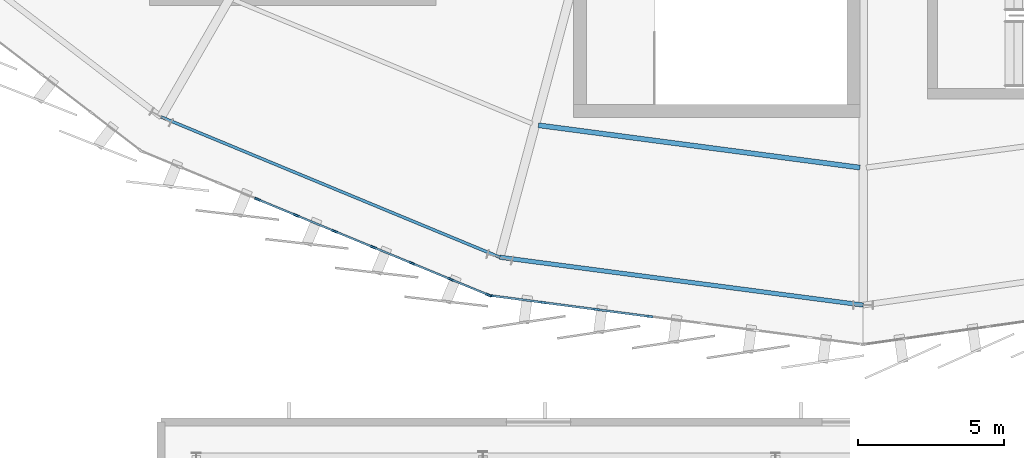
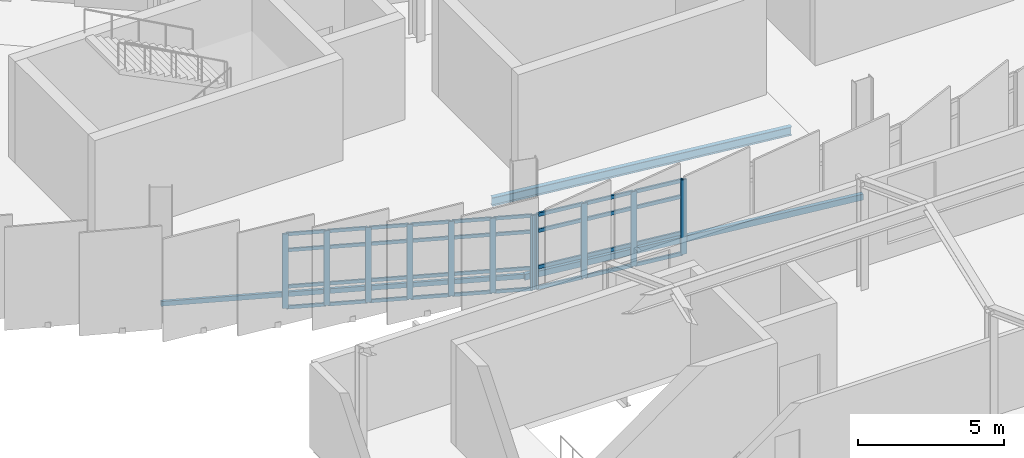
# One storey, part 16 of 87: 47 members, 3 beams, 2 elements without a shape of their own.
"""IFC4 building model written with IfcOpenShell, lengths in metres."""

from ifc_helpers import new_model, si_unit, direction, frame, origin, origin_2d, place, context, subcontext, project, spatial, rectangle, hollow_rectangle, i_section, extrude, material, layer, layer_set, material_profile, profile_set, type_object, element, aggregate, save


model = new_model("IFC4")

# Units and contexts
model_context = context("Model", 3, precision=1e-05, world=origin(), true_north=direction((0.0, 1.0)))
body_context = subcontext(model_context, "Body", "Model", "MODEL_VIEW")
ifc_project = project(units=[si_unit("LENGTHUNIT", "METRE"), si_unit("AREAUNIT", "SQUARE_METRE"), si_unit("VOLUMEUNIT", "CUBIC_METRE"), si_unit("PLANEANGLEUNIT", "RADIAN"), si_unit("MASSUNIT", "GRAM", prefix="KILO")], contexts=[model_context])

# Site, building, storey
site_placement = place(None, origin())
site = spatial("IfcSite", under=ifc_project, at=site_placement, CompositionType="ELEMENT")
building_placement = place(site_placement, origin())
building = spatial("IfcBuilding", under=site, at=building_placement, Name="Sohan Crest Arena", CompositionType="ELEMENT")
storey_placement = place(building_placement, frame((0.0, 0.0, 18.0)))
storey = spatial("IfcBuildingStorey", under=building, at=storey_placement, Name="L04", CompositionType="ELEMENT", Elevation=18.0)

# Curtain wall, members
ifc_material_1 = material(Name="Thermally broken anodised aluminium", Category="aluminium")
ifc_layer_1 = layer(ifc_material_1, 0.18994140625, Name="Thermally broken anodised aluminium")
ifc_layer_set_1 = layer_set([ifc_layer_1], Name="Thermally broken anodised aluminium")
curtain_wall_type_1 = type_object("IfcCurtainWallType", Name="ARC-CW05", PredefinedType="NOTDEFINED", material=ifc_layer_set_1)
curtain_wall_1_placement = place(storey_placement, origin())
curtain_wall_1 = element("IfcCurtainWall", 1, at=curtain_wall_1_placement, inside=storey, type_object=curtain_wall_type_1, Name="Unitised curtain wall CW-122", PredefinedType="NOTDEFINED")
ifc_material_profile_1 = material_profile(ifc_material_1, rectangle(XDim=0.070068359375, YDim=0.199951171875, at=origin_2d()), Name="ALU-MULL 70x200")
ifc_profile_set_1 = profile_set([ifc_material_profile_1], Name="Thermally broken anodised aluminium")
member_type_1 = type_object("IfcMemberType", Name="ARC-CW-ML03", PredefinedType="MULLION", material=ifc_profile_set_1)
member_1_placement = place(storey_placement, frame((77.292236328125, 33.61865234375, 0.0), z_axis=(0.0, 0.0, 1.0), x_axis=(0.382685432009, 0.923878704229, 0.0)))
member_1 = element("IfcMember", 2, at=member_1_placement, type_object=member_type_1, Name="CW-122 mullion 4", PredefinedType="MULLION", context=body_context, shape_type="SweptSolid", body=[
    extrude(rectangle(XDim=0.070068359375, YDim=0.199951171875, at=origin_2d()), origin(), (0.0, 0.0, 1.0), 3.1201171875),
])
member_2_placement = place(storey_placement, frame((78.61474609375, 33.07080078125, 0.0), z_axis=(0.0, 0.0, 1.0), x_axis=(0.382685432009, 0.923878704229, 0.0)))
member_2 = element("IfcMember", 3, at=member_2_placement, type_object=member_type_1, Name="CW-122 mullion 5", PredefinedType="MULLION", context=body_context, shape_type="SweptSolid", body=[
    extrude(rectangle(XDim=0.070068359375, YDim=0.199951171875, at=origin_2d()), origin(), (0.0, 0.0, 1.0), 3.1201171875),
])
member_3_placement = place(storey_placement, frame((79.937255859375, 32.523193359375, 0.0), z_axis=(0.0, 0.0, 1.0), x_axis=(0.382685432009, 0.923878704229, 0.0)))
member_3 = element("IfcMember", 4, at=member_3_placement, type_object=member_type_1, Name="CW-122 mullion 6", PredefinedType="MULLION", context=body_context, shape_type="SweptSolid", body=[
    extrude(rectangle(XDim=0.070068359375, YDim=0.199951171875, at=origin_2d()), origin(), (0.0, 0.0, 1.0), 3.1201171875),
])
member_4_placement = place(storey_placement, frame((81.259765625, 31.975341796875, 0.0), z_axis=(0.0, 0.0, 1.0), x_axis=(0.382685432009, 0.923878704229, 0.0)))
member_4 = element("IfcMember", 5, at=member_4_placement, type_object=member_type_1, Name="CW-122 mullion 7", PredefinedType="MULLION", context=body_context, shape_type="SweptSolid", body=[
    extrude(rectangle(XDim=0.070068359375, YDim=0.199951171875, at=origin_2d()), origin(), (0.0, 0.0, 1.0), 3.1201171875),
])
member_5_placement = place(storey_placement, frame((82.58203125, 31.427490234375, 0.0), z_axis=(0.0, 0.0, 1.0), x_axis=(0.382685432009, 0.923878704229, 0.0)))
member_5 = element("IfcMember", 6, at=member_5_placement, type_object=member_type_1, Name="CW-122 mullion 8", PredefinedType="MULLION", context=body_context, shape_type="SweptSolid", body=[
    extrude(rectangle(XDim=0.070068359375, YDim=0.199951171875, at=origin_2d()), origin(), (0.0, 0.0, 1.0), 3.1201171875),
])
member_6_placement = place(storey_placement, frame((83.904541015625, 30.8798828125, 0.0), z_axis=(0.0, 0.0, 1.0), x_axis=(0.382685432009, 0.923878704229, 0.0)))
member_6 = element("IfcMember", 7, at=member_6_placement, type_object=member_type_1, Name="CW-122 mullion 9", PredefinedType="MULLION", context=body_context, shape_type="SweptSolid", body=[
    extrude(rectangle(XDim=0.070068359375, YDim=0.199951171875, at=origin_2d()), origin(), (0.0, 0.0, 1.0), 3.1201171875),
])
member_7_placement = place(storey_placement, frame((85.194580078125, 30.345458984375, 0.0), z_axis=(0.0, 0.0, 1.0), x_axis=(0.382685432009, 0.923878704229, 0.0)))
member_7 = element("IfcMember", 8, at=member_7_placement, type_object=member_type_1, Name="CW-122 mullion 10", PredefinedType="MULLION", context=body_context, shape_type="SweptSolid", body=[
    extrude(rectangle(XDim=0.070068359375, YDim=0.199951171875, at=origin_2d()), origin(), (0.0, 0.0, 1.0), 3.1201171875),
])

ifc_layer_2 = layer(ifc_material_1, 0.2099609375, Name="Thermally broken anodised aluminium")
ifc_layer_set_2 = layer_set([ifc_layer_2], Name="Thermally broken anodised aluminium")
curtain_wall_type_2 = type_object("IfcCurtainWallType", Name="ARC-CW06", PredefinedType="NOTDEFINED", material=ifc_layer_set_2)
curtain_wall_2_placement = place(storey_placement, origin())
curtain_wall_2 = element("IfcCurtainWall", 9, at=curtain_wall_2_placement, inside=storey, type_object=curtain_wall_type_2, Name="Unitised curtain wall CW-123", PredefinedType="NOTDEFINED")
ifc_material_profile_2 = material_profile(ifc_material_1, rectangle(XDim=0.074951171875, YDim=0.219970703125, at=origin_2d()), Name="ALU-MULL 75x220")
ifc_profile_set_2 = profile_set([ifc_material_profile_2], Name="Thermally broken anodised aluminium")
member_type_2 = type_object("IfcMemberType", Name="ARC-CW-ML04", PredefinedType="MULLION", material=ifc_profile_set_2)
member_8_placement = place(storey_placement, frame((85.26416015625, 30.3271484375, 0.0), z_axis=(0.0, 0.0, 1.0), x_axis=(0.130556913275, 0.991440816386, 0.0)))
member_8 = element("IfcMember", 10, at=member_8_placement, type_object=member_type_2, Name="CW-123 mullion 1", PredefinedType="MULLION", context=body_context, shape_type="SweptSolid", body=[
    extrude(rectangle(XDim=0.074951171875, YDim=0.219970703125, at=origin_2d()), origin(), (0.0, 0.0, 1.0), 3.1201171875),
])
member_9_placement = place(storey_placement, frame((87.0517578125, 30.091796875, 0.0), z_axis=(0.0, 0.0, 1.0), x_axis=(0.130556913275, 0.991440816386, 0.0)))
member_9 = element("IfcMember", 11, at=member_9_placement, type_object=member_type_2, Name="CW-123 mullion 2", PredefinedType="MULLION", context=body_context, shape_type="SweptSolid", body=[
    extrude(rectangle(XDim=0.074951171875, YDim=0.219970703125, at=origin_2d()), origin(), (0.0, 0.0, 1.0), 3.1201171875),
])
member_10_placement = place(storey_placement, frame((88.87646484375, 29.851318359375, 0.0), z_axis=(0.0, 0.0, 1.0), x_axis=(0.130556913275, 0.991440816386, 0.0)))
member_10 = element("IfcMember", 12, at=member_10_placement, type_object=member_type_2, Name="CW-123 mullion 3", PredefinedType="MULLION", context=body_context, shape_type="SweptSolid", body=[
    extrude(rectangle(XDim=0.074951171875, YDim=0.219970703125, at=origin_2d()), origin(), (0.0, 0.0, 1.0), 3.1201171875),
])
member_11_placement = place(storey_placement, frame((90.701171875, 29.611083984375, 0.0), z_axis=(0.0, 0.0, 1.0), x_axis=(0.130556913275, 0.991440816386, 0.0)))
member_11 = element("IfcMember", 13, at=member_11_placement, type_object=member_type_2, Name="CW-123 mullion 4", PredefinedType="MULLION", context=body_context, shape_type="SweptSolid", body=[
    extrude(rectangle(XDim=0.074951171875, YDim=0.219970703125, at=origin_2d()), origin(), (0.0, 0.0, 1.0), 3.1201171875),
])

# Member
ifc_material_profile_3 = material_profile(ifc_material_1, rectangle(XDim=0.06494140625, YDim=0.139892578125, at=origin_2d()), Name="ALU-TRAN 65x140")
ifc_profile_set_3 = profile_set([ifc_material_profile_3], Name="Thermally broken anodised aluminium")
member_type_3 = type_object("IfcMemberType", Name="ARC-CW-TR02", PredefinedType="USERDEFINED", material=ifc_profile_set_3)
member_12_placement = place(storey_placement, frame((77.32470703125, 33.605224609375, 0.032470703125), z_axis=(0.923881325056, -0.38267910475, 0.0), x_axis=(0.38267910475, 0.923881325056, 0.0)))
member_12 = element("IfcMember", 14, at=member_12_placement, type_object=member_type_3, Name="CW-122 transom 4.1", ObjectType="TRANSOM", PredefinedType="USERDEFINED", context=body_context, shape_type="SweptSolid", body=[
    extrude(rectangle(XDim=0.06494140625, YDim=0.139892578125, at=origin_2d()), origin(), (0.0, 0.0, 1.0), 1.361328125),
])

member_13_placement = place(storey_placement, frame((77.32470703125, 33.605224609375, 0.89990234375), z_axis=(0.923881325056, -0.38267910475, 0.0), x_axis=(0.38267910475, 0.923881325056, 0.0)))
member_13 = element("IfcMember", 15, at=member_13_placement, type_object=member_type_3, Name="CW-122 transom 4.2", ObjectType="TRANSOM", PredefinedType="USERDEFINED", context=body_context, shape_type="SweptSolid", body=[
    extrude(rectangle(XDim=0.06494140625, YDim=0.139892578125, at=origin_2d()), origin(), (0.0, 0.0, 1.0), 1.361328125),
])

member_14_placement = place(storey_placement, frame((77.32470703125, 33.605224609375, 2.419921875), z_axis=(0.923881325056, -0.38267910475, 0.0), x_axis=(0.38267910475, 0.923881325056, 0.0)))
member_14 = element("IfcMember", 16, at=member_14_placement, type_object=member_type_3, Name="CW-122 transom 4.3", ObjectType="TRANSOM", PredefinedType="USERDEFINED", context=body_context, shape_type="SweptSolid", body=[
    extrude(rectangle(XDim=0.06494140625, YDim=0.139892578125, at=origin_2d()), origin(), (0.0, 0.0, 1.0), 1.361328125),
])

member_15_placement = place(storey_placement, frame((77.32470703125, 33.605224609375, 3.08740234375), z_axis=(0.923881325056, -0.38267910475, 0.0), x_axis=(0.38267910475, 0.923881325056, 0.0)))
member_15 = element("IfcMember", 17, at=member_15_placement, type_object=member_type_3, Name="CW-122 transom 4.4", ObjectType="TRANSOM", PredefinedType="USERDEFINED", context=body_context, shape_type="SweptSolid", body=[
    extrude(rectangle(XDim=0.06494140625, YDim=0.139892578125, at=origin_2d()), origin(), (0.0, 0.0, 1.0), 1.361328125),
])

member_16_placement = place(storey_placement, frame((78.647216796875, 33.057373046875, 0.032470703125), z_axis=(0.923918468787, -0.38258941835, 0.0), x_axis=(0.38258941835, 0.923918468787, 0.0)))
member_16 = element("IfcMember", 18, at=member_16_placement, type_object=member_type_3, Name="CW-122 transom 5.1", ObjectType="TRANSOM", PredefinedType="USERDEFINED", context=body_context, shape_type="SweptSolid", body=[
    extrude(rectangle(XDim=0.06494140625, YDim=0.139892578125, at=origin_2d()), origin(), (0.0, 0.0, 1.0), 1.361083984375),
])

member_17_placement = place(storey_placement, frame((78.647216796875, 33.057373046875, 0.89990234375), z_axis=(0.923918468787, -0.38258941835, 0.0), x_axis=(0.38258941835, 0.923918468787, 0.0)))
member_17 = element("IfcMember", 19, at=member_17_placement, type_object=member_type_3, Name="CW-122 transom 5.2", ObjectType="TRANSOM", PredefinedType="USERDEFINED", context=body_context, shape_type="SweptSolid", body=[
    extrude(rectangle(XDim=0.06494140625, YDim=0.139892578125, at=origin_2d()), origin(), (0.0, 0.0, 1.0), 1.361083984375),
])

member_18_placement = place(storey_placement, frame((78.647216796875, 33.057373046875, 2.419921875), z_axis=(0.923918468787, -0.38258941835, 0.0), x_axis=(0.38258941835, 0.923918468787, 0.0)))
member_18 = element("IfcMember", 20, at=member_18_placement, type_object=member_type_3, Name="CW-122 transom 5.3", ObjectType="TRANSOM", PredefinedType="USERDEFINED", context=body_context, shape_type="SweptSolid", body=[
    extrude(rectangle(XDim=0.06494140625, YDim=0.139892578125, at=origin_2d()), origin(), (0.0, 0.0, 1.0), 1.361083984375),
])

member_19_placement = place(storey_placement, frame((78.647216796875, 33.057373046875, 3.08740234375), z_axis=(0.923918468787, -0.38258941835, 0.0), x_axis=(0.38258941835, 0.923918468787, 0.0)))
member_19 = element("IfcMember", 21, at=member_19_placement, type_object=member_type_3, Name="CW-122 transom 5.4", ObjectType="TRANSOM", PredefinedType="USERDEFINED", context=body_context, shape_type="SweptSolid", body=[
    extrude(rectangle(XDim=0.06494140625, YDim=0.139892578125, at=origin_2d()), origin(), (0.0, 0.0, 1.0), 1.361083984375),
])

member_20_placement = place(storey_placement, frame((79.969482421875, 32.509765625, 0.032470703125), z_axis=(0.923881325056, -0.38267910475, 0.0), x_axis=(0.38267910475, 0.923881325056, 0.0)))
member_20 = element("IfcMember", 22, at=member_20_placement, type_object=member_type_3, Name="CW-122 transom 6.1", ObjectType="TRANSOM", PredefinedType="USERDEFINED", context=body_context, shape_type="SweptSolid", body=[
    extrude(rectangle(XDim=0.06494140625, YDim=0.139892578125, at=origin_2d()), origin(), (0.0, 0.0, 1.0), 1.361328125),
])

member_21_placement = place(storey_placement, frame((79.969482421875, 32.509765625, 0.89990234375), z_axis=(0.923881325056, -0.38267910475, 0.0), x_axis=(0.38267910475, 0.923881325056, 0.0)))
member_21 = element("IfcMember", 23, at=member_21_placement, type_object=member_type_3, Name="CW-122 transom 6.2", ObjectType="TRANSOM", PredefinedType="USERDEFINED", context=body_context, shape_type="SweptSolid", body=[
    extrude(rectangle(XDim=0.06494140625, YDim=0.139892578125, at=origin_2d()), origin(), (0.0, 0.0, 1.0), 1.361328125),
])

member_22_placement = place(storey_placement, frame((79.969482421875, 32.509765625, 2.419921875), z_axis=(0.923881325056, -0.38267910475, 0.0), x_axis=(0.38267910475, 0.923881325056, 0.0)))
member_22 = element("IfcMember", 24, at=member_22_placement, type_object=member_type_3, Name="CW-122 transom 6.3", ObjectType="TRANSOM", PredefinedType="USERDEFINED", context=body_context, shape_type="SweptSolid", body=[
    extrude(rectangle(XDim=0.06494140625, YDim=0.139892578125, at=origin_2d()), origin(), (0.0, 0.0, 1.0), 1.361328125),
])

member_23_placement = place(storey_placement, frame((79.969482421875, 32.509765625, 3.08740234375), z_axis=(0.923881325056, -0.38267910475, 0.0), x_axis=(0.38267910475, 0.923881325056, 0.0)))
member_23 = element("IfcMember", 25, at=member_23_placement, type_object=member_type_3, Name="CW-122 transom 6.4", ObjectType="TRANSOM", PredefinedType="USERDEFINED", context=body_context, shape_type="SweptSolid", body=[
    extrude(rectangle(XDim=0.06494140625, YDim=0.139892578125, at=origin_2d()), origin(), (0.0, 0.0, 1.0), 1.361328125),
])

member_24_placement = place(storey_placement, frame((81.2919921875, 31.9619140625, 0.032470703125), z_axis=(0.923881325056, -0.38267910475, 0.0), x_axis=(0.38267910475, 0.923881325056, 0.0)))
member_24 = element("IfcMember", 26, at=member_24_placement, type_object=member_type_3, Name="CW-122 transom 7.1", ObjectType="TRANSOM", PredefinedType="USERDEFINED", context=body_context, shape_type="SweptSolid", body=[
    extrude(rectangle(XDim=0.06494140625, YDim=0.139892578125, at=origin_2d()), origin(), (0.0, 0.0, 1.0), 1.361328125),
])

member_25_placement = place(storey_placement, frame((81.2919921875, 31.9619140625, 0.89990234375), z_axis=(0.923881325056, -0.38267910475, 0.0), x_axis=(0.38267910475, 0.923881325056, 0.0)))
member_25 = element("IfcMember", 27, at=member_25_placement, type_object=member_type_3, Name="CW-122 transom 7.2", ObjectType="TRANSOM", PredefinedType="USERDEFINED", context=body_context, shape_type="SweptSolid", body=[
    extrude(rectangle(XDim=0.06494140625, YDim=0.139892578125, at=origin_2d()), origin(), (0.0, 0.0, 1.0), 1.361328125),
])

member_26_placement = place(storey_placement, frame((81.2919921875, 31.9619140625, 2.419921875), z_axis=(0.923881325056, -0.38267910475, 0.0), x_axis=(0.38267910475, 0.923881325056, 0.0)))
member_26 = element("IfcMember", 28, at=member_26_placement, type_object=member_type_3, Name="CW-122 transom 7.3", ObjectType="TRANSOM", PredefinedType="USERDEFINED", context=body_context, shape_type="SweptSolid", body=[
    extrude(rectangle(XDim=0.06494140625, YDim=0.139892578125, at=origin_2d()), origin(), (0.0, 0.0, 1.0), 1.361328125),
])

member_27_placement = place(storey_placement, frame((81.2919921875, 31.9619140625, 3.08740234375), z_axis=(0.923881325056, -0.38267910475, 0.0), x_axis=(0.38267910475, 0.923881325056, 0.0)))
member_27 = element("IfcMember", 29, at=member_27_placement, type_object=member_type_3, Name="CW-122 transom 7.4", ObjectType="TRANSOM", PredefinedType="USERDEFINED", context=body_context, shape_type="SweptSolid", body=[
    extrude(rectangle(XDim=0.06494140625, YDim=0.139892578125, at=origin_2d()), origin(), (0.0, 0.0, 1.0), 1.361328125),
])

member_28_placement = place(storey_placement, frame((82.614501953125, 31.4140625, 0.032470703125), z_axis=(0.923881325056, -0.38267910475, 0.0), x_axis=(0.38267910475, 0.923881325056, 0.0)))
member_28 = element("IfcMember", 30, at=member_28_placement, type_object=member_type_3, Name="CW-122 transom 8.1", ObjectType="TRANSOM", PredefinedType="USERDEFINED", context=body_context, shape_type="SweptSolid", body=[
    extrude(rectangle(XDim=0.06494140625, YDim=0.139892578125, at=origin_2d()), origin(), (0.0, 0.0, 1.0), 1.361328125),
])

member_29_placement = place(storey_placement, frame((82.614501953125, 31.4140625, 0.89990234375), z_axis=(0.923881325056, -0.38267910475, 0.0), x_axis=(0.38267910475, 0.923881325056, 0.0)))
member_29 = element("IfcMember", 31, at=member_29_placement, type_object=member_type_3, Name="CW-122 transom 8.2", ObjectType="TRANSOM", PredefinedType="USERDEFINED", context=body_context, shape_type="SweptSolid", body=[
    extrude(rectangle(XDim=0.06494140625, YDim=0.139892578125, at=origin_2d()), origin(), (0.0, 0.0, 1.0), 1.361328125),
])

member_30_placement = place(storey_placement, frame((82.614501953125, 31.4140625, 2.419921875), z_axis=(0.923881325056, -0.38267910475, 0.0), x_axis=(0.38267910475, 0.923881325056, 0.0)))
member_30 = element("IfcMember", 32, at=member_30_placement, type_object=member_type_3, Name="CW-122 transom 8.3", ObjectType="TRANSOM", PredefinedType="USERDEFINED", context=body_context, shape_type="SweptSolid", body=[
    extrude(rectangle(XDim=0.06494140625, YDim=0.139892578125, at=origin_2d()), origin(), (0.0, 0.0, 1.0), 1.361328125),
])

member_31_placement = place(storey_placement, frame((82.614501953125, 31.4140625, 3.08740234375), z_axis=(0.923881325056, -0.38267910475, 0.0), x_axis=(0.38267910475, 0.923881325056, 0.0)))
member_31 = element("IfcMember", 33, at=member_31_placement, type_object=member_type_3, Name="CW-122 transom 8.4", ObjectType="TRANSOM", PredefinedType="USERDEFINED", context=body_context, shape_type="SweptSolid", body=[
    extrude(rectangle(XDim=0.06494140625, YDim=0.139892578125, at=origin_2d()), origin(), (0.0, 0.0, 1.0), 1.361328125),
])

member_32_placement = place(storey_placement, frame((83.93701171875, 30.866455078125, 0.032470703125), z_axis=(0.923875488976, -0.382693194178, 0.0), x_axis=(0.382693194178, 0.923875488976, 0.0)))
member_32 = element("IfcMember", 34, at=member_32_placement, type_object=member_type_3, Name="CW-122 transom 9.1", ObjectType="TRANSOM", PredefinedType="USERDEFINED", context=body_context, shape_type="SweptSolid", body=[
    extrude(rectangle(XDim=0.06494140625, YDim=0.139892578125, at=origin_2d()), origin(), (0.0, 0.0, 1.0), 1.326416015625),
])

member_33_placement = place(storey_placement, frame((83.93701171875, 30.866455078125, 0.89990234375), z_axis=(0.923875488976, -0.382693194178, 0.0), x_axis=(0.382693194178, 0.923875488976, 0.0)))
member_33 = element("IfcMember", 35, at=member_33_placement, type_object=member_type_3, Name="CW-122 transom 9.2", ObjectType="TRANSOM", PredefinedType="USERDEFINED", context=body_context, shape_type="SweptSolid", body=[
    extrude(rectangle(XDim=0.06494140625, YDim=0.139892578125, at=origin_2d()), origin(), (0.0, 0.0, 1.0), 1.326416015625),
])

member_34_placement = place(storey_placement, frame((83.93701171875, 30.866455078125, 2.419921875), z_axis=(0.923875488976, -0.382693194178, 0.0), x_axis=(0.382693194178, 0.923875488976, 0.0)))
member_34 = element("IfcMember", 36, at=member_34_placement, type_object=member_type_3, Name="CW-122 transom 9.3", ObjectType="TRANSOM", PredefinedType="USERDEFINED", context=body_context, shape_type="SweptSolid", body=[
    extrude(rectangle(XDim=0.06494140625, YDim=0.139892578125, at=origin_2d()), origin(), (0.0, 0.0, 1.0), 1.326416015625),
])

member_35_placement = place(storey_placement, frame((83.93701171875, 30.866455078125, 3.08740234375), z_axis=(0.923875488976, -0.382693194178, 0.0), x_axis=(0.382693194178, 0.923875488976, 0.0)))
member_35 = element("IfcMember", 37, at=member_35_placement, type_object=member_type_3, Name="CW-122 transom 9.4", ObjectType="TRANSOM", PredefinedType="USERDEFINED", context=body_context, shape_type="SweptSolid", body=[
    extrude(rectangle(XDim=0.06494140625, YDim=0.139892578125, at=origin_2d()), origin(), (0.0, 0.0, 1.0), 1.326416015625),
])

aggregate(curtain_wall_1, [member_1, member_2, member_3, member_4, member_5, member_6, member_7, member_12, member_13, member_14, member_15, member_16, member_17, member_18, member_19, member_20, member_21, member_22, member_23, member_24, member_25, member_26, member_27, member_28, member_29, member_30, member_31, member_32, member_33, member_34, member_35])

ifc_material_profile_4 = material_profile(ifc_material_1, rectangle(XDim=0.070068359375, YDim=0.14990234375, at=origin_2d()), Name="ALU-TRAN 70x150")
ifc_profile_set_4 = profile_set([ifc_material_profile_4], Name="Thermally broken anodised aluminium")
member_type_4 = type_object("IfcMemberType", Name="ARC-CW-TR03", PredefinedType="USERDEFINED", material=ifc_profile_set_4)
member_36_placement = place(storey_placement, frame((85.30126953125, 30.322265625, 0.034912109375), z_axis=(0.991443713746, -0.13053490902, 0.0), x_axis=(0.13053490902, 0.991443713746, 0.0)))
member_36 = element("IfcMember", 38, at=member_36_placement, type_object=member_type_4, Name="CW-123 transom 1.1", ObjectType="TRANSOM", PredefinedType="USERDEFINED", context=body_context, shape_type="SweptSolid", body=[
    extrude(rectangle(XDim=0.070068359375, YDim=0.14990234375, at=origin_2d()), origin(), (0.0, 0.0, 1.0), 1.728271484375),
])

member_37_placement = place(storey_placement, frame((85.30126953125, 30.322265625, 0.89990234375), z_axis=(0.991443713746, -0.13053490902, 0.0), x_axis=(0.13053490902, 0.991443713746, 0.0)))
member_37 = element("IfcMember", 39, at=member_37_placement, type_object=member_type_4, Name="CW-123 transom 1.2", ObjectType="TRANSOM", PredefinedType="USERDEFINED", context=body_context, shape_type="SweptSolid", body=[
    extrude(rectangle(XDim=0.070068359375, YDim=0.14990234375, at=origin_2d()), origin(), (0.0, 0.0, 1.0), 1.728271484375),
])

member_38_placement = place(storey_placement, frame((85.30126953125, 30.322265625, 2.419921875), z_axis=(0.991443713746, -0.13053490902, 0.0), x_axis=(0.13053490902, 0.991443713746, 0.0)))
member_38 = element("IfcMember", 40, at=member_38_placement, type_object=member_type_4, Name="CW-123 transom 1.3", ObjectType="TRANSOM", PredefinedType="USERDEFINED", context=body_context, shape_type="SweptSolid", body=[
    extrude(rectangle(XDim=0.070068359375, YDim=0.14990234375, at=origin_2d()), origin(), (0.0, 0.0, 1.0), 1.728271484375),
])

member_39_placement = place(storey_placement, frame((85.30126953125, 30.322265625, 3.0849609375), z_axis=(0.991443713746, -0.13053490902, 0.0), x_axis=(0.13053490902, 0.991443713746, 0.0)))
member_39 = element("IfcMember", 41, at=member_39_placement, type_object=member_type_4, Name="CW-123 transom 1.4", ObjectType="TRANSOM", PredefinedType="USERDEFINED", context=body_context, shape_type="SweptSolid", body=[
    extrude(rectangle(XDim=0.070068359375, YDim=0.14990234375, at=origin_2d()), origin(), (0.0, 0.0, 1.0), 1.728271484375),
])

member_40_placement = place(storey_placement, frame((87.0888671875, 30.0869140625, 0.034912109375), z_axis=(0.99144393814, -0.130533204687, 0.0), x_axis=(0.130533204687, 0.99144393814, 0.0)))
member_40 = element("IfcMember", 42, at=member_40_placement, type_object=member_type_4, Name="CW-123 transom 2.1", ObjectType="TRANSOM", PredefinedType="USERDEFINED", context=body_context, shape_type="SweptSolid", body=[
    extrude(rectangle(XDim=0.070068359375, YDim=0.14990234375, at=origin_2d()), origin(), (0.0, 0.0, 1.0), 1.765625),
])

member_41_placement = place(storey_placement, frame((87.0888671875, 30.0869140625, 0.89990234375), z_axis=(0.99144393814, -0.130533204687, 0.0), x_axis=(0.130533204687, 0.99144393814, 0.0)))
member_41 = element("IfcMember", 43, at=member_41_placement, type_object=member_type_4, Name="CW-123 transom 2.2", ObjectType="TRANSOM", PredefinedType="USERDEFINED", context=body_context, shape_type="SweptSolid", body=[
    extrude(rectangle(XDim=0.070068359375, YDim=0.14990234375, at=origin_2d()), origin(), (0.0, 0.0, 1.0), 1.765625),
])

member_42_placement = place(storey_placement, frame((87.0888671875, 30.0869140625, 2.419921875), z_axis=(0.99144393814, -0.130533204687, 0.0), x_axis=(0.130533204687, 0.99144393814, 0.0)))
member_42 = element("IfcMember", 44, at=member_42_placement, type_object=member_type_4, Name="CW-123 transom 2.3", ObjectType="TRANSOM", PredefinedType="USERDEFINED", context=body_context, shape_type="SweptSolid", body=[
    extrude(rectangle(XDim=0.070068359375, YDim=0.14990234375, at=origin_2d()), origin(), (0.0, 0.0, 1.0), 1.765625),
])

member_43_placement = place(storey_placement, frame((87.0888671875, 30.0869140625, 3.0849609375), z_axis=(0.99144393814, -0.130533204687, 0.0), x_axis=(0.130533204687, 0.99144393814, 0.0)))
member_43 = element("IfcMember", 45, at=member_43_placement, type_object=member_type_4, Name="CW-123 transom 2.4", ObjectType="TRANSOM", PredefinedType="USERDEFINED", context=body_context, shape_type="SweptSolid", body=[
    extrude(rectangle(XDim=0.070068359375, YDim=0.14990234375, at=origin_2d()), origin(), (0.0, 0.0, 1.0), 1.765625),
])

member_44_placement = place(storey_placement, frame((88.91357421875, 29.846435546875, 0.034912109375), z_axis=(0.99144393814, -0.130533204687, 0.0), x_axis=(0.130533204687, 0.99144393814, 0.0)))
member_44 = element("IfcMember", 46, at=member_44_placement, type_object=member_type_4, Name="CW-123 transom 3.1", ObjectType="TRANSOM", PredefinedType="USERDEFINED", context=body_context, shape_type="SweptSolid", body=[
    extrude(rectangle(XDim=0.070068359375, YDim=0.14990234375, at=origin_2d()), origin(), (0.0, 0.0, 1.0), 1.765625),
])

member_45_placement = place(storey_placement, frame((88.91357421875, 29.846435546875, 0.89990234375), z_axis=(0.99144393814, -0.130533204687, 0.0), x_axis=(0.130533204687, 0.99144393814, 0.0)))
member_45 = element("IfcMember", 47, at=member_45_placement, type_object=member_type_4, Name="CW-123 transom 3.2", ObjectType="TRANSOM", PredefinedType="USERDEFINED", context=body_context, shape_type="SweptSolid", body=[
    extrude(rectangle(XDim=0.070068359375, YDim=0.14990234375, at=origin_2d()), origin(), (0.0, 0.0, 1.0), 1.765625),
])

member_46_placement = place(storey_placement, frame((88.91357421875, 29.846435546875, 2.419921875), z_axis=(0.99144393814, -0.130533204687, 0.0), x_axis=(0.130533204687, 0.99144393814, 0.0)))
member_46 = element("IfcMember", 48, at=member_46_placement, type_object=member_type_4, Name="CW-123 transom 3.3", ObjectType="TRANSOM", PredefinedType="USERDEFINED", context=body_context, shape_type="SweptSolid", body=[
    extrude(rectangle(XDim=0.070068359375, YDim=0.14990234375, at=origin_2d()), origin(), (0.0, 0.0, 1.0), 1.765625),
])

member_47_placement = place(storey_placement, frame((88.91357421875, 29.846435546875, 3.0849609375), z_axis=(0.99144393814, -0.130533204687, 0.0), x_axis=(0.130533204687, 0.99144393814, 0.0)))
member_47 = element("IfcMember", 49, at=member_47_placement, type_object=member_type_4, Name="CW-123 transom 3.4", ObjectType="TRANSOM", PredefinedType="USERDEFINED", context=body_context, shape_type="SweptSolid", body=[
    extrude(rectangle(XDim=0.070068359375, YDim=0.14990234375, at=origin_2d()), origin(), (0.0, 0.0, 1.0), 1.765625),
])

aggregate(curtain_wall_2, [member_8, member_9, member_10, member_11, member_36, member_37, member_38, member_39, member_40, member_41, member_42, member_43, member_44, member_45, member_46, member_47])

# Beams
ifc_material_2 = material(Name="Steel S355", Category="steel")
ifc_material_profile_5 = material_profile(ifc_material_2, i_section(OverallWidth=0.169921875, OverallDepth=0.360107421875, WebThickness=0.008056640625, FlangeThickness=0.0126953125, at=origin_2d()), Name="IPE 360")
ifc_profile_set_5 = profile_set([ifc_material_profile_5], Name="Steel S355")
beam_type_1 = type_object("IfcBeamType", Name="STR-BM-B02", PredefinedType="JOIST", material=ifc_profile_set_5)
beam_1_placement = place(storey_placement, frame((86.89892578125, 36.14794921875, -0.429931640625), z_axis=(0.991434947697, -0.130601471988, 0.0), x_axis=(0.130601471988, 0.991434947697, 0.0)))
element("IfcBeam", 50, at=beam_1_placement, inside=storey, type_object=beam_type_1, Name="Structural beam J-L04-1600", PredefinedType="JOIST", context=body_context, shape_type="SweptSolid", body=[
    extrude(i_section(OverallWidth=0.169921875, OverallDepth=0.360107421875, WebThickness=0.008056640625, FlangeThickness=0.0126953125, at=origin_2d()), origin(), (0.0, 0.0, 1.0), 11.087158203125),
])
ifc_material_profile_6 = material_profile(ifc_material_2, hollow_rectangle(XDim=0.10009765625, YDim=0.199951171875, WallThickness=0.008056640625, at=origin_2d()), Name="RHS 200x100x8")
ifc_profile_set_6 = profile_set([ifc_material_profile_6], Name="Steel S355")
beam_type_2 = type_object("IfcBeamType", Name="STR-BM-SP01", PredefinedType="SPANDREL", material=ifc_profile_set_6)
beam_2_placement = place(storey_placement, frame((74.0, 36.430908203125, -0.35009765625), z_axis=(0.923890504882, -0.382656941645, 0.0), x_axis=(0.382656941645, 0.923890504882, 0.0)))
element("IfcBeam", 51, at=beam_2_placement, inside=storey, type_object=beam_type_2, Name="Structural beam SP-L04-1595", PredefinedType="SPANDREL", context=body_context, shape_type="SweptSolid", body=[
    extrude(hollow_rectangle(XDim=0.10009765625, YDim=0.199951171875, WallThickness=0.008056640625, at=origin_2d()), origin(), (0.0, 0.0, 1.0), 12.530517578125),
])
ifc_material_profile_7 = material_profile(ifc_material_2, hollow_rectangle(XDim=0.14990234375, YDim=0.25, WallThickness=0.010009765625, at=origin_2d()), Name="RHS 250x150x10")
ifc_profile_set_7 = profile_set([ifc_material_profile_7], Name="Steel S355")
beam_type_3 = type_object("IfcBeamType", Name="STR-BM-SP02", PredefinedType="SPANDREL", material=ifc_profile_set_7)
beam_3_placement = place(storey_placement, frame((85.576904296875, 31.635986328125, -0.375), z_axis=(0.991440164207, -0.130561865783, 0.0), x_axis=(0.130561865783, 0.991440164207, 0.0)))
element("IfcBeam", 52, at=beam_3_placement, inside=storey, type_object=beam_type_3, Name="Structural beam SP-L04-1599", PredefinedType="SPANDREL", context=body_context, shape_type="SweptSolid", body=[
    extrude(hollow_rectangle(XDim=0.14990234375, YDim=0.25, WallThickness=0.010009765625, at=origin_2d()), origin(), (0.0, 0.0, 1.0), 12.5302734375),
])

save(model, "model.ifc")
